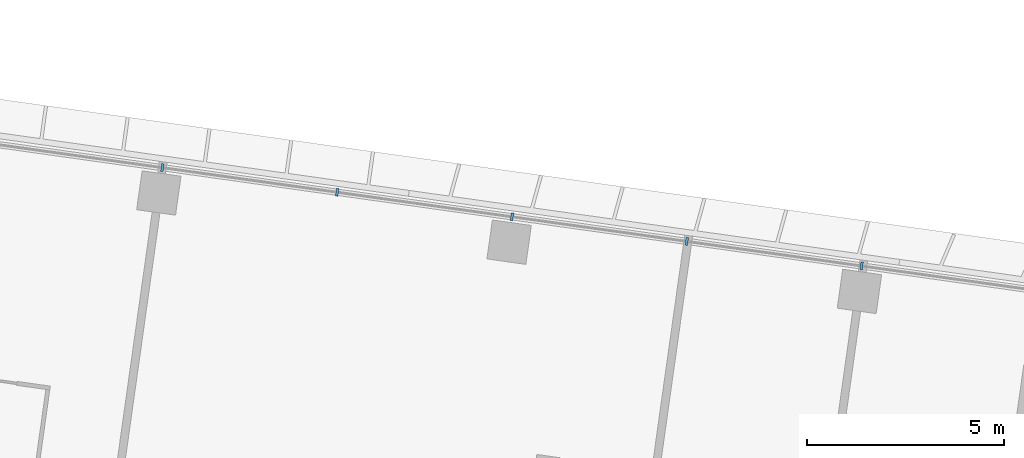
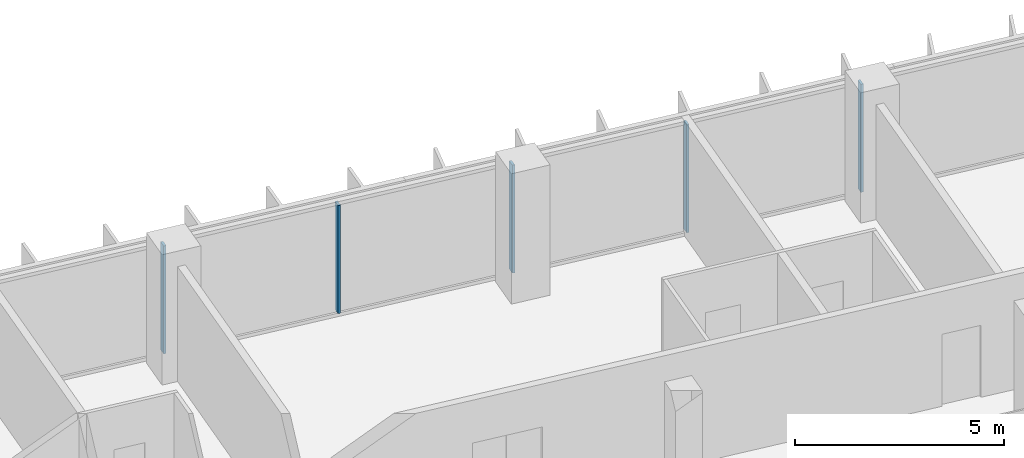
# One storey, part 5 of 24: 5 members, 1 element without a shape of its own.
"""IFC4 building model written with IfcOpenShell, lengths in metres."""

from ifc_helpers import new_model, si_unit, direction, frame, origin, origin_2d, place, context, subcontext, project, spatial, rectangle, extrude, material, material_profile, profile_set, type_object, element, aggregate, save


model = new_model("IFC4")

# Units and contexts
model_context = context("Model", 3, precision=1e-05, world=origin(), true_north=direction((0.0, 1.0)))
body_context = subcontext(model_context, "Body", "Model", "MODEL_VIEW")
ifc_project = project(units=[si_unit("LENGTHUNIT", "METRE"), si_unit("AREAUNIT", "SQUARE_METRE"), si_unit("VOLUMEUNIT", "CUBIC_METRE"), si_unit("PLANEANGLEUNIT", "RADIAN"), si_unit("MASSUNIT", "GRAM", prefix="KILO")], contexts=[model_context])

# Site, building, storey
site_placement = place(None, origin())
site = spatial("IfcSite", under=ifc_project, at=site_placement, CompositionType="ELEMENT")
building_placement = place(site_placement, origin())
building = spatial("IfcBuilding", under=site, at=building_placement, Name="Mirante Cascada Hotel Towers", CompositionType="ELEMENT")
storey_placement = place(building_placement, frame((0.0, 0.0, 81.3)))
storey = spatial("IfcBuildingStorey", under=building, at=storey_placement, Name="L17", CompositionType="ELEMENT", Elevation=81.3)

# Curtain wall, members
ifc_material_1 = material(Name="Aluminium mullion and transom frame with clear laminated glass", Category="aluminium")
curtain_wall_type = type_object("IfcCurtainWallType", Name="Ribbon curtain wall ECW1", PredefinedType="NOTDEFINED", material=ifc_material_1)
curtain_wall_placement = place(storey_placement, origin())
curtain_wall = element("IfcCurtainWall", 1, at=curtain_wall_placement, inside=storey, type_object=curtain_wall_type, Name="Front ribbon wall T1 L17", PredefinedType="NOTDEFINED")
ifc_material_2 = material(Name="Anodised aluminium extrusion", Category="aluminium")
ifc_material_profile = material_profile(ifc_material_2, rectangle(XDim=0.2, YDim=0.065, at=origin_2d()), Name="ECW1 MULLION 65x200")
ifc_profile_set = profile_set([ifc_material_profile], Name="Anodised aluminium extrusion")
member_type = type_object("IfcMemberType", Name="ECW1 mullion 65x200", PredefinedType="MULLION", material=ifc_profile_set)
member_1_placement = place(storey_placement, frame((-63.0262, 21.6768, 0.1), z_axis=(0.0, 0.0, 1.0), x_axis=(0.1391731, 0.9902681, 0.0)))
member_1 = element("IfcMember", 2, at=member_1_placement, type_object=member_type, Name="ECW1 mullion 8", PredefinedType="MULLION", context=body_context, shape_type="SweptSolid", body=[
    extrude(rectangle(XDim=0.2, YDim=0.065, at=origin_2d()), origin(), (0.0, 0.0, 1.0), 3.15),
])
member_2_placement = place(storey_placement, frame((-58.5788, 21.0517, 0.1), z_axis=(0.0, 0.0, 1.0), x_axis=(0.1391731, 0.9902681, 0.0)))
member_2 = element("IfcMember", 3, at=member_2_placement, type_object=member_type, Name="ECW1 mullion 9", PredefinedType="MULLION", context=body_context, shape_type="SweptSolid", body=[
    extrude(rectangle(XDim=0.2, YDim=0.065, at=origin_2d()), origin(), (0.0, 0.0, 1.0), 3.15),
])
member_3_placement = place(storey_placement, frame((-54.1314, 20.4267, 0.1), z_axis=(0.0, 0.0, 1.0), x_axis=(0.1391731, 0.9902681, 0.0)))
member_3 = element("IfcMember", 4, at=member_3_placement, type_object=member_type, Name="ECW1 mullion 10", PredefinedType="MULLION", context=body_context, shape_type="SweptSolid", body=[
    extrude(rectangle(XDim=0.2, YDim=0.065, at=origin_2d()), origin(), (0.0, 0.0, 1.0), 3.15),
])
member_4_placement = place(storey_placement, frame((-49.684, 19.8017, 0.1), z_axis=(0.0, 0.0, 1.0), x_axis=(0.1391731, 0.9902681, 0.0)))
member_4 = element("IfcMember", 5, at=member_4_placement, type_object=member_type, Name="ECW1 mullion 11", PredefinedType="MULLION", context=body_context, shape_type="SweptSolid", body=[
    extrude(rectangle(XDim=0.2, YDim=0.065, at=origin_2d()), origin(), (0.0, 0.0, 1.0), 3.15),
])
member_5_placement = place(storey_placement, frame((-45.2366, 19.1766, 0.1), z_axis=(0.0, 0.0, 1.0), x_axis=(0.1391731, 0.9902681, 0.0)))
member_5 = element("IfcMember", 6, at=member_5_placement, type_object=member_type, Name="ECW1 mullion 12", PredefinedType="MULLION", context=body_context, shape_type="SweptSolid", body=[
    extrude(rectangle(XDim=0.2, YDim=0.065, at=origin_2d()), origin(), (0.0, 0.0, 1.0), 3.15),
])
aggregate(curtain_wall, [member_1, member_2, member_3, member_4, member_5])

save(model, "model.ifc")
